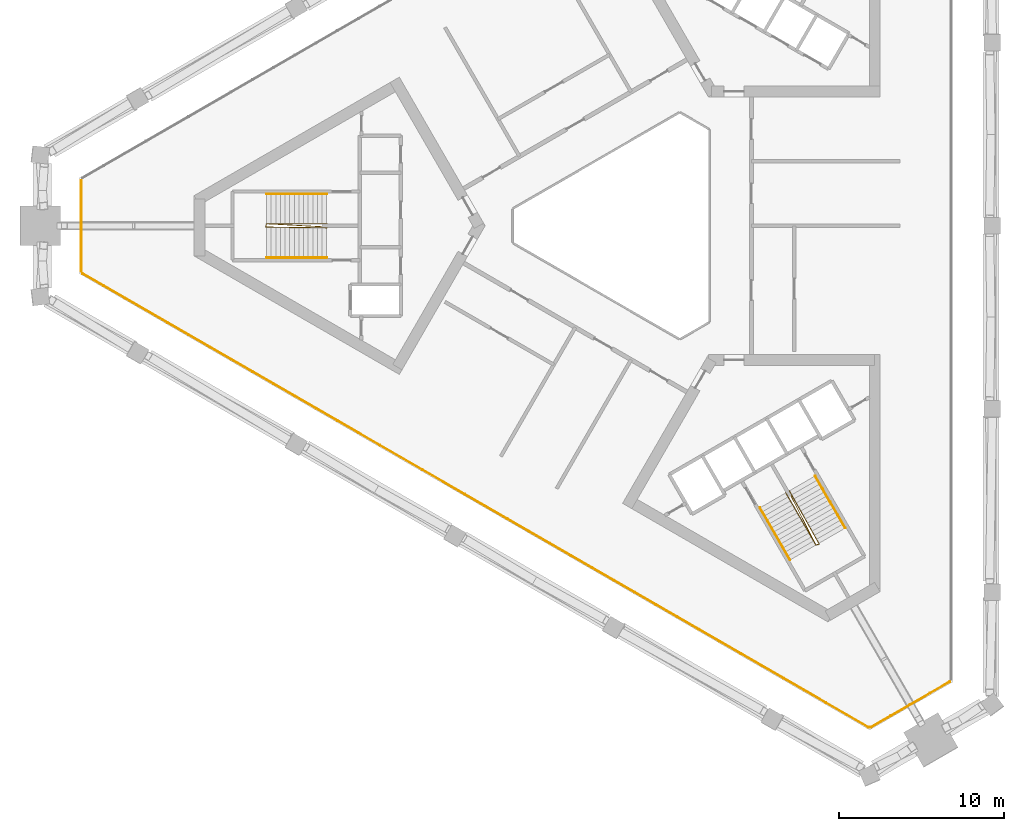
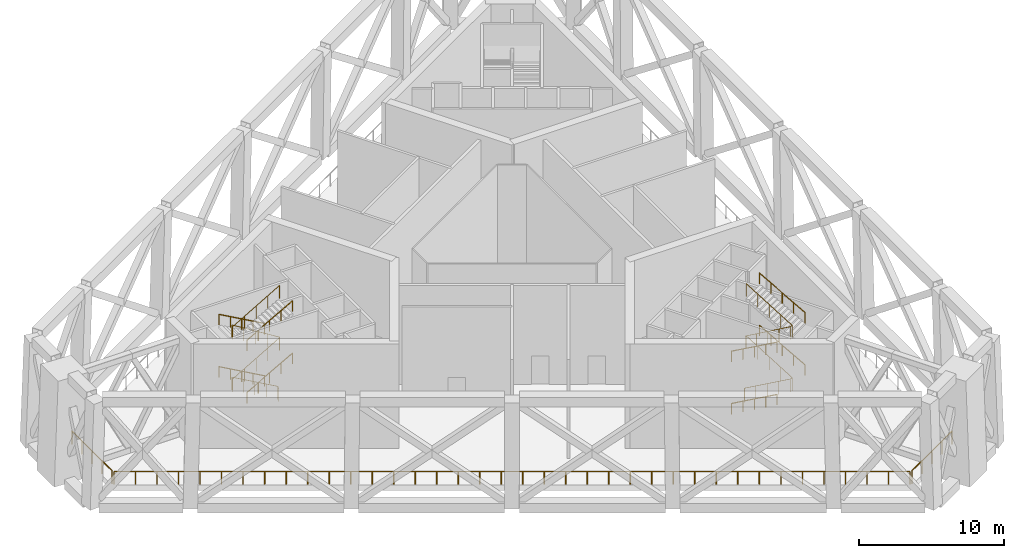
# One storey, part 7 of 8: 13 railings.
"""IFC4 building model written with IfcOpenShell, lengths in metres."""

from ifc_helpers import new_model, si_unit, direction, frame, origin, origin_2d, place, context, subcontext, project, spatial, circle, extrude, material, type_object, element, save


model = new_model("IFC4")

# Units and contexts
model_context = context("Model", 3, precision=1e-05, world=origin(), true_north=direction((0.0, 1.0)))
body_context = subcontext(model_context, "Body", "Model", "MODEL_VIEW")
ifc_project = project(units=[si_unit("LENGTHUNIT", "METRE"), si_unit("AREAUNIT", "SQUARE_METRE"), si_unit("VOLUMEUNIT", "CUBIC_METRE"), si_unit("PLANEANGLEUNIT", "RADIAN"), si_unit("MASSUNIT", "GRAM", prefix="KILO")], contexts=[model_context])

# Site, building, storey
site_placement = place(None, origin())
site = spatial("IfcSite", under=ifc_project, at=site_placement, CompositionType="ELEMENT")
building_placement = place(site_placement, origin())
building = spatial("IfcBuilding", under=site, at=building_placement, Name="Jabali Bay Hotel Tower and Convention Centre", CompositionType="ELEMENT")
storey_placement = place(building_placement, frame((0.0, 0.0, 147.5)))
storey = spatial("IfcBuildingStorey", under=building, at=storey_placement, Name="L36", CompositionType="ELEMENT", Elevation=147.5)

# Railings
ifc_material = material(Name="Steel Q355B", Category="steel")
railing_type_1 = type_object("IfcRailingType", Name="Stair guard 1100", PredefinedType="GUARDRAIL", material=ifc_material)
railing_1_placement = place(storey_placement, frame((56.469970703125, 80.074951171875, 0.0)))
element("IfcRailing", 1, at=railing_1_placement, inside=storey, type_object=railing_type_1, Name="L36 ST1 stair guard 1", PredefinedType="GUARDRAIL", context=body_context, shape_type="SweptSolid", body=[
    extrude(circle(Radius=0.02392578125, at=origin_2d()), frame((0.0, 0.0, 1.076171875), z_axis=(-0.290266377826, 0.290266377826, 0.911861206439), x_axis=(-0.707106781187, -0.707106781187, 0.0)), (0.0, 0.0, 1.0), 0.17236328125),
    extrude(circle(Radius=0.02392578125, at=origin_2d()), frame((-0.050048828125, 0.050048828125, 1.2333984375), z_axis=(-0.872057804188, 0.0, 0.489402887359), x_axis=(0.0, -1.0, 0.0)), (0.0, 0.0, 1.0), 4.173828125),
    extrude(circle(Radius=0.02392578125, at=origin_2d()), frame((-3.68994140625, 0.050048828125, 3.27587890625), z_axis=(-0.242814311512, -0.970072785993, 0.0), x_axis=(0.970072785993, -0.242814311512, 0.0)), (0.0, 0.0, 1.0), 0.2060546875),
    extrude(circle(Radius=0.02392578125, at=origin_2d()), frame((-3.739990234375, -0.14990234375, 3.27587890625), z_axis=(0.858870423873, -0.011649360652, 0.512060433341), x_axis=(0.013562335953, 0.999908027292, 0.0)), (0.0, 0.0, 1.0), 4.29638671875),
    extrude(circle(Radius=0.02392578125, at=origin_2d()), frame((-0.050048828125, -0.199951171875, 5.47607421875), z_axis=(0.707106781187, 0.707106781187, 0.0), x_axis=(-0.707106781187, 0.707106781187, 0.0)), (0.0, 0.0, 1.0), 0.07080078125),
    extrude(circle(Radius=0.02392578125, at=origin_2d()), frame((0.0, -0.14990234375, 5.47607421875), z_axis=(-0.857974941652, 0.046492091916, 0.511583311775), x_axis=(-0.054108786762, -0.998535046553, 0.0)), (0.0, 0.0, 1.0), 4.30078125),
    extrude(circle(Radius=0.02392578125, at=origin_2d()), frame((-3.68994140625, 0.050048828125, 7.67626953125), z_axis=(-0.242814311512, -0.970072785993, 0.0), x_axis=(0.970072785993, -0.242814311512, 0.0)), (0.0, 0.0, 1.0), 0.2060546875),
    extrude(circle(Radius=0.02392578125, at=origin_2d()), frame((-3.739990234375, -0.14990234375, 7.67626953125), z_axis=(0.858870423873, -0.011649360652, 0.512060433341), x_axis=(0.013562335953, 0.999908027292, 0.0)), (0.0, 0.0, 1.0), 4.29638671875),
    extrude(circle(Radius=0.02099609375, at=origin_2d()), origin(), (0.0, 0.0, 1.0), 1.052001953125),
    extrude(circle(Radius=0.02099609375, at=origin_2d()), frame((-0.050048828125, 0.050048828125, 0.1572265625)), (0.0, 0.0, 1.0), 1.052001953125),
    extrude(circle(Radius=0.02099609375, at=origin_2d()), frame((-0.9599609375, 0.050048828125, 0.66796875)), (0.0, 0.0, 1.0), 1.052001953125),
    extrude(circle(Radius=0.02099609375, at=origin_2d()), frame((-1.8701171875, 0.050048828125, 1.1787109375)), (0.0, 0.0, 1.0), 1.052001953125),
    extrude(circle(Radius=0.02099609375, at=origin_2d()), frame((-2.780029296875, 0.050048828125, 1.689208984375)), (0.0, 0.0, 1.0), 1.052001953125),
    extrude(circle(Radius=0.02099609375, at=origin_2d()), frame((-3.68994140625, 0.050048828125, 2.199951171875)), (0.0, 0.0, 1.0), 1.052001953125),
    extrude(circle(Radius=0.02099609375, at=origin_2d()), frame((-3.739990234375, -0.14990234375, 2.199951171875)), (0.0, 0.0, 1.0), 1.052001953125),
    extrude(circle(Radius=0.02099609375, at=origin_2d()), frame((-2.8173828125, -0.162353515625, 2.75)), (0.0, 0.0, 1.0), 1.052001953125),
    extrude(circle(Radius=0.02099609375, at=origin_2d()), frame((-1.89501953125, -0.1748046875, 3.2998046875)), (0.0, 0.0, 1.0), 1.052001953125),
    extrude(circle(Radius=0.02099609375, at=origin_2d()), frame((-0.97265625, -0.1875, 3.849853515625)), (0.0, 0.0, 1.0), 1.052001953125),
    extrude(circle(Radius=0.02099609375, at=origin_2d()), frame((-0.050048828125, -0.199951171875, 4.39990234375)), (0.0, 0.0, 1.0), 1.052001953125),
    extrude(circle(Radius=0.02099609375, at=origin_2d()), frame((0.0, -0.14990234375, 4.39990234375)), (0.0, 0.0, 1.0), 1.052001953125),
    extrude(circle(Radius=0.02099609375, at=origin_2d()), frame((-0.92236328125, -0.099853515625, 4.949951171875)), (0.0, 0.0, 1.0), 1.052001953125),
    extrude(circle(Radius=0.02099609375, at=origin_2d()), frame((-1.844970703125, -0.0498046875, 5.5)), (0.0, 0.0, 1.0), 1.052001953125),
    extrude(circle(Radius=0.02099609375, at=origin_2d()), frame((-2.767578125, 0.0, 6.050048828125)), (0.0, 0.0, 1.0), 1.052001953125),
    extrude(circle(Radius=0.02099609375, at=origin_2d()), frame((-3.68994140625, 0.050048828125, 6.60009765625)), (0.0, 0.0, 1.0), 1.052001953125),
    extrude(circle(Radius=0.02099609375, at=origin_2d()), frame((-3.739990234375, -0.14990234375, 6.60009765625)), (0.0, 0.0, 1.0), 1.052001953125),
    extrude(circle(Radius=0.02099609375, at=origin_2d()), frame((-2.8173828125, -0.162353515625, 7.150146484375)), (0.0, 0.0, 1.0), 1.052001953125),
    extrude(circle(Radius=0.02099609375, at=origin_2d()), frame((-1.89501953125, -0.1748046875, 7.7001953125)), (0.0, 0.0, 1.0), 1.052001953125),
    extrude(circle(Radius=0.02099609375, at=origin_2d()), frame((-0.97265625, -0.1875, 8.25)), (0.0, 0.0, 1.0), 1.052001953125),
    extrude(circle(Radius=0.02099609375, at=origin_2d()), frame((-0.050048828125, -0.199951171875, 8.800048828125)), (0.0, 0.0, 1.0), 1.052001953125),
])
railing_2_placement = place(storey_placement, frame((84.199951171875, 63.9150390625, 0.0)))
element("IfcRailing", 2, at=railing_2_placement, inside=storey, type_object=railing_type_1, Name="L36 ST3 stair guard 1", PredefinedType="GUARDRAIL", context=body_context, shape_type="SweptSolid", body=[
    extrude(circle(Radius=0.02392578125, at=origin_2d()), frame((0.0, 0.0, 1.076171875), z_axis=(-0.106197677715, -0.396471330136, 0.911884059312), x_axis=(0.965948051503, -0.258736085224, 0.0)), (0.0, 0.0, 1.0), 0.17236328125),
    extrude(circle(Radius=0.02392578125, at=origin_2d()), frame((-0.018310546875, -0.068359375, 1.2333984375), z_axis=(0.436044357701, -0.755225318126, 0.48938740991), x_axis=(0.866018046521, 0.500012742938, 0.0)), (0.0, 0.0, 1.0), 4.174072265625),
    extrude(circle(Radius=0.02392578125, at=origin_2d()), frame((1.8017578125, -3.220703125, 3.27587890625), z_axis=(0.96121063429, 0.275815366736, 0.0), x_axis=(-0.275815366736, 0.96121063429, 0.0)), (0.0, 0.0, 1.0), 0.206298828125),
    extrude(circle(Radius=0.02392578125, at=origin_2d()), frame((2.0, -3.163818359375, 3.27587890625), z_axis=(-0.419382495405, 0.749603590364, 0.512067163428), x_axis=(-0.872702246529, -0.488252792008, 0.0)), (0.0, 0.0, 1.0), 4.296142578125),
    extrude(circle(Radius=0.02392578125, at=origin_2d()), frame((0.1982421875, 0.056640625, 5.47607421875), z_axis=(-0.965948051503, 0.258736085224, 0.0), x_axis=(-0.258736085224, -0.965948051503, 0.0)), (0.0, 0.0, 1.0), 0.07080078125),
    extrude(circle(Radius=0.02392578125, at=origin_2d()), frame((0.1298828125, 0.074951171875, 5.47607421875), z_axis=(0.388730751416, -0.766278681857, 0.511571485362), x_axis=(0.891809086538, 0.452411928632, 0.0)), (0.0, 0.0, 1.0), 4.30078125),
    extrude(circle(Radius=0.02392578125, at=origin_2d()), frame((1.8017578125, -3.220703125, 7.67626953125), z_axis=(0.96121063429, 0.275815366736, 0.0), x_axis=(-0.275815366736, 0.96121063429, 0.0)), (0.0, 0.0, 1.0), 0.206298828125),
    extrude(circle(Radius=0.02392578125, at=origin_2d()), frame((2.0, -3.163818359375, 7.67626953125), z_axis=(-0.419382495405, 0.749603590364, 0.512067163428), x_axis=(-0.872702246529, -0.488252792008, 0.0)), (0.0, 0.0, 1.0), 4.296142578125),
    extrude(circle(Radius=0.02099609375, at=origin_2d()), origin(), (0.0, 0.0, 1.0), 1.052001953125),
    extrude(circle(Radius=0.02099609375, at=origin_2d()), frame((-0.018310546875, -0.068359375, 0.1572265625)), (0.0, 0.0, 1.0), 1.052001953125),
    extrude(circle(Radius=0.02099609375, at=origin_2d()), frame((0.436767578125, -0.8564453125, 0.66796875)), (0.0, 0.0, 1.0), 1.052001953125),
    extrude(circle(Radius=0.02099609375, at=origin_2d()), frame((0.8916015625, -1.64453125, 1.1787109375)), (0.0, 0.0, 1.0), 1.052001953125),
    extrude(circle(Radius=0.02099609375, at=origin_2d()), frame((1.3466796875, -2.4326171875, 1.689208984375)), (0.0, 0.0, 1.0), 1.052001953125),
    extrude(circle(Radius=0.02099609375, at=origin_2d()), frame((1.8017578125, -3.220703125, 2.199951171875)), (0.0, 0.0, 1.0), 1.052001953125),
    extrude(circle(Radius=0.02099609375, at=origin_2d()), frame((2.0, -3.163818359375, 2.199951171875)), (0.0, 0.0, 1.0), 1.052001953125),
    extrude(circle(Radius=0.02099609375, at=origin_2d()), frame((1.549560546875, -2.358642578125, 2.75)), (0.0, 0.0, 1.0), 1.052001953125),
    extrude(circle(Radius=0.02099609375, at=origin_2d()), frame((1.09912109375, -1.5537109375, 3.2998046875)), (0.0, 0.0, 1.0), 1.052001953125),
    extrude(circle(Radius=0.02099609375, at=origin_2d()), frame((0.648681640625, -0.74853515625, 3.849853515625)), (0.0, 0.0, 1.0), 1.052001953125),
    extrude(circle(Radius=0.02099609375, at=origin_2d()), frame((0.1982421875, 0.056640625, 4.39990234375)), (0.0, 0.0, 1.0), 1.052001953125),
    extrude(circle(Radius=0.02099609375, at=origin_2d()), frame((0.1298828125, 0.074951171875, 4.39990234375)), (0.0, 0.0, 1.0), 1.052001953125),
    extrude(circle(Radius=0.02099609375, at=origin_2d()), frame((0.5478515625, -0.7490234375, 4.949951171875)), (0.0, 0.0, 1.0), 1.052001953125),
    extrude(circle(Radius=0.02099609375, at=origin_2d()), frame((0.9658203125, -1.57275390625, 5.5)), (0.0, 0.0, 1.0), 1.052001953125),
    extrude(circle(Radius=0.02099609375, at=origin_2d()), frame((1.3837890625, -2.396728515625, 6.050048828125)), (0.0, 0.0, 1.0), 1.052001953125),
    extrude(circle(Radius=0.02099609375, at=origin_2d()), frame((1.8017578125, -3.220703125, 6.60009765625)), (0.0, 0.0, 1.0), 1.052001953125),
    extrude(circle(Radius=0.02099609375, at=origin_2d()), frame((2.0, -3.163818359375, 6.60009765625)), (0.0, 0.0, 1.0), 1.052001953125),
    extrude(circle(Radius=0.02099609375, at=origin_2d()), frame((1.549560546875, -2.358642578125, 7.150146484375)), (0.0, 0.0, 1.0), 1.052001953125),
    extrude(circle(Radius=0.02099609375, at=origin_2d()), frame((1.09912109375, -1.5537109375, 7.7001953125)), (0.0, 0.0, 1.0), 1.052001953125),
    extrude(circle(Radius=0.02099609375, at=origin_2d()), frame((0.648681640625, -0.74853515625, 8.25)), (0.0, 0.0, 1.0), 1.052001953125),
    extrude(circle(Radius=0.02099609375, at=origin_2d()), frame((0.1982421875, 0.056640625, 8.800048828125)), (0.0, 0.0, 1.0), 1.052001953125),
])
railing_type_2 = type_object("IfcRailingType", Name="Stair handrail 900", PredefinedType="HANDRAIL", material=ifc_material)
railing_3_placement = place(storey_placement, frame((56.419921875, 81.925048828125, 0.1572265625)))
element("IfcRailing", 3, at=railing_3_placement, inside=storey, type_object=railing_type_2, Name="L36 ST1 stair handrail 1", PredefinedType="HANDRAIL", context=body_context, shape_type="SweptSolid", body=[
    extrude(circle(Radius=0.02392578125, at=origin_2d()), frame((0.0, 0.0, 0.8759765625), z_axis=(-0.872057804188, 0.0, 0.489402887359), x_axis=(0.0, -1.0, 0.0)), (0.0, 0.0, 1.0), 4.173828125),
    extrude(circle(Radius=0.02099609375, at=origin_2d()), origin(), (0.0, 0.0, 1.0), 0.851806640625),
    extrude(circle(Radius=0.02099609375, at=origin_2d()), frame((-0.909912109375, 0.0, 0.5107421875)), (0.0, 0.0, 1.0), 0.851806640625),
    extrude(circle(Radius=0.02099609375, at=origin_2d()), frame((-1.81982421875, 0.0, 1.021484375)), (0.0, 0.0, 1.0), 0.851806640625),
    extrude(circle(Radius=0.02099609375, at=origin_2d()), frame((-2.72998046875, 0.0, 1.531982421875)), (0.0, 0.0, 1.0), 0.851806640625),
    extrude(circle(Radius=0.02099609375, at=origin_2d()), frame((-3.639892578125, 0.0, 2.042724609375)), (0.0, 0.0, 1.0), 0.851806640625),
])
railing_4_placement = place(storey_placement, frame((52.780029296875, 78.074951171875, 2.357177734375)))
element("IfcRailing", 4, at=railing_4_placement, inside=storey, type_object=railing_type_2, Name="L36 ST1 stair handrail 2", PredefinedType="HANDRAIL", context=body_context, shape_type="SweptSolid", body=[
    extrude(circle(Radius=0.02392578125, at=origin_2d()), frame((0.0, 0.0, 0.8759765625), z_axis=(0.872057804188, 0.0, 0.489402887359), x_axis=(0.0, 1.0, 0.0)), (0.0, 0.0, 1.0), 4.173828125),
    extrude(circle(Radius=0.02099609375, at=origin_2d()), origin(), (0.0, 0.0, 1.0), 0.851806640625),
    extrude(circle(Radius=0.02099609375, at=origin_2d()), frame((0.909912109375, 0.0, 0.5107421875)), (0.0, 0.0, 1.0), 0.851806640625),
    extrude(circle(Radius=0.02099609375, at=origin_2d()), frame((1.81982421875, 0.0, 1.021484375)), (0.0, 0.0, 1.0), 0.851806640625),
    extrude(circle(Radius=0.02099609375, at=origin_2d()), frame((2.72998046875, 0.0, 1.531982421875)), (0.0, 0.0, 1.0), 0.851806640625),
    extrude(circle(Radius=0.02099609375, at=origin_2d()), frame((3.639892578125, 0.0, 2.042724609375)), (0.0, 0.0, 1.0), 0.851806640625),
])
railing_5_placement = place(storey_placement, frame((56.419921875, 81.925048828125, 4.55712890625)))
element("IfcRailing", 5, at=railing_5_placement, inside=storey, type_object=railing_type_2, Name="L36 ST1 stair handrail 3", PredefinedType="HANDRAIL", context=body_context, shape_type="SweptSolid", body=[
    extrude(circle(Radius=0.02392578125, at=origin_2d()), frame((0.0, 0.0, 0.8759765625), z_axis=(-0.872032840091, 0.0, 0.489447367756), x_axis=(0.0, -1.0, 0.0)), (0.0, 0.0, 1.0), 4.174072265625),
    extrude(circle(Radius=0.02099609375, at=origin_2d()), origin(), (0.0, 0.0, 1.0), 0.851806640625),
    extrude(circle(Radius=0.02099609375, at=origin_2d()), frame((-0.909912109375, 0.0, 0.5107421875)), (0.0, 0.0, 1.0), 0.851806640625),
    extrude(circle(Radius=0.02099609375, at=origin_2d()), frame((-1.81982421875, 0.0, 1.021484375)), (0.0, 0.0, 1.0), 0.851806640625),
    extrude(circle(Radius=0.02099609375, at=origin_2d()), frame((-2.72998046875, 0.0, 1.5322265625)), (0.0, 0.0, 1.0), 0.851806640625),
    extrude(circle(Radius=0.02099609375, at=origin_2d()), frame((-3.639892578125, 0.0, 2.04296875)), (0.0, 0.0, 1.0), 0.851806640625),
])
railing_6_placement = place(storey_placement, frame((52.780029296875, 78.074951171875, 6.757080078125)))
element("IfcRailing", 6, at=railing_6_placement, inside=storey, type_object=railing_type_2, Name="L36 ST1 stair handrail 4", PredefinedType="HANDRAIL", context=body_context, shape_type="SweptSolid", body=[
    extrude(circle(Radius=0.02392578125, at=origin_2d()), frame((0.0, 0.0, 0.8759765625), z_axis=(0.872032840091, 0.0, 0.489447367756), x_axis=(0.0, 1.0, 0.0)), (0.0, 0.0, 1.0), 4.174072265625),
    extrude(circle(Radius=0.02099609375, at=origin_2d()), origin(), (0.0, 0.0, 1.0), 0.851806640625),
    extrude(circle(Radius=0.02099609375, at=origin_2d()), frame((0.909912109375, 0.0, 0.5107421875)), (0.0, 0.0, 1.0), 0.851806640625),
    extrude(circle(Radius=0.02099609375, at=origin_2d()), frame((1.81982421875, 0.0, 1.021484375)), (0.0, 0.0, 1.0), 0.851806640625),
    extrude(circle(Radius=0.02099609375, at=origin_2d()), frame((2.72998046875, 0.0, 1.5322265625)), (0.0, 0.0, 1.0), 0.851806640625),
    extrude(circle(Radius=0.02099609375, at=origin_2d()), frame((3.639892578125, 0.0, 2.04296875)), (0.0, 0.0, 1.0), 0.851806640625),
])
railing_7_placement = place(storey_placement, frame((82.622802734375, 62.94677734375, 0.1572265625)))
element("IfcRailing", 7, at=railing_7_placement, inside=storey, type_object=railing_type_2, Name="L36 ST3 stair handrail 1", PredefinedType="HANDRAIL", context=body_context, shape_type="SweptSolid", body=[
    extrude(circle(Radius=0.02392578125, at=origin_2d()), frame((0.0, 0.0, 0.8759765625), z_axis=(0.436044357701, -0.755225318126, 0.48938740991), x_axis=(0.866018046521, 0.500012742938, 0.0)), (0.0, 0.0, 1.0), 4.174072265625),
    extrude(circle(Radius=0.02099609375, at=origin_2d()), origin(), (0.0, 0.0, 1.0), 0.851806640625),
    extrude(circle(Radius=0.02099609375, at=origin_2d()), frame((0.455078125, -0.7880859375, 0.5107421875)), (0.0, 0.0, 1.0), 0.851806640625),
    extrude(circle(Radius=0.02099609375, at=origin_2d()), frame((0.91015625, -1.576171875, 1.021484375)), (0.0, 0.0, 1.0), 0.851806640625),
    extrude(circle(Radius=0.02099609375, at=origin_2d()), frame((1.364990234375, -2.3642578125, 1.531982421875)), (0.0, 0.0, 1.0), 0.851806640625),
    extrude(circle(Radius=0.02099609375, at=origin_2d()), frame((1.820068359375, -3.15234375, 2.042724609375)), (0.0, 0.0, 1.0), 0.851806640625),
])
railing_8_placement = place(storey_placement, frame((87.777099609375, 61.719482421875, 2.357177734375)))
element("IfcRailing", 8, at=railing_8_placement, inside=storey, type_object=railing_type_2, Name="L36 ST3 stair handrail 2", PredefinedType="HANDRAIL", context=body_context, shape_type="SweptSolid", body=[
    extrude(circle(Radius=0.02392578125, at=origin_2d()), frame((0.0, 0.0, 0.8759765625), z_axis=(-0.436044357701, 0.755225318126, 0.48938740991), x_axis=(-0.866018046521, -0.500012742938, 0.0)), (0.0, 0.0, 1.0), 4.174072265625),
    extrude(circle(Radius=0.02099609375, at=origin_2d()), origin(), (0.0, 0.0, 1.0), 0.851806640625),
    extrude(circle(Radius=0.02099609375, at=origin_2d()), frame((-0.455078125, 0.7880859375, 0.5107421875)), (0.0, 0.0, 1.0), 0.851806640625),
    extrude(circle(Radius=0.02099609375, at=origin_2d()), frame((-0.91015625, 1.576171875, 1.021484375)), (0.0, 0.0, 1.0), 0.851806640625),
    extrude(circle(Radius=0.02099609375, at=origin_2d()), frame((-1.364990234375, 2.3642578125, 1.531982421875)), (0.0, 0.0, 1.0), 0.851806640625),
    extrude(circle(Radius=0.02099609375, at=origin_2d()), frame((-1.820068359375, 3.15234375, 2.042724609375)), (0.0, 0.0, 1.0), 0.851806640625),
])
railing_9_placement = place(storey_placement, frame((82.622802734375, 62.94677734375, 4.55712890625)))
element("IfcRailing", 9, at=railing_9_placement, inside=storey, type_object=railing_type_2, Name="L36 ST3 stair handrail 3", PredefinedType="HANDRAIL", context=body_context, shape_type="SweptSolid", body=[
    extrude(circle(Radius=0.02392578125, at=origin_2d()), frame((0.0, 0.0, 0.8759765625), z_axis=(0.436031875999, -0.75520369992, 0.489431889787), x_axis=(0.866018046521, 0.500012742938, 0.0)), (0.0, 0.0, 1.0), 4.174072265625),
    extrude(circle(Radius=0.02099609375, at=origin_2d()), origin(), (0.0, 0.0, 1.0), 0.851806640625),
    extrude(circle(Radius=0.02099609375, at=origin_2d()), frame((0.455078125, -0.7880859375, 0.5107421875)), (0.0, 0.0, 1.0), 0.851806640625),
    extrude(circle(Radius=0.02099609375, at=origin_2d()), frame((0.91015625, -1.576171875, 1.021484375)), (0.0, 0.0, 1.0), 0.851806640625),
    extrude(circle(Radius=0.02099609375, at=origin_2d()), frame((1.364990234375, -2.3642578125, 1.5322265625)), (0.0, 0.0, 1.0), 0.851806640625),
    extrude(circle(Radius=0.02099609375, at=origin_2d()), frame((1.820068359375, -3.15234375, 2.04296875)), (0.0, 0.0, 1.0), 0.851806640625),
])
railing_10_placement = place(storey_placement, frame((87.777099609375, 61.719482421875, 6.757080078125)))
element("IfcRailing", 10, at=railing_10_placement, inside=storey, type_object=railing_type_2, Name="L36 ST3 stair handrail 4", PredefinedType="HANDRAIL", context=body_context, shape_type="SweptSolid", body=[
    extrude(circle(Radius=0.02392578125, at=origin_2d()), frame((0.0, 0.0, 0.8759765625), z_axis=(-0.436031875999, 0.75520369992, 0.489431889787), x_axis=(-0.866018046521, -0.500012742938, 0.0)), (0.0, 0.0, 1.0), 4.174072265625),
    extrude(circle(Radius=0.02099609375, at=origin_2d()), origin(), (0.0, 0.0, 1.0), 0.851806640625),
    extrude(circle(Radius=0.02099609375, at=origin_2d()), frame((-0.455078125, 0.7880859375, 0.5107421875)), (0.0, 0.0, 1.0), 0.851806640625),
    extrude(circle(Radius=0.02099609375, at=origin_2d()), frame((-0.91015625, 1.576171875, 1.021484375)), (0.0, 0.0, 1.0), 0.851806640625),
    extrude(circle(Radius=0.02099609375, at=origin_2d()), frame((-1.364990234375, 2.3642578125, 1.5322265625)), (0.0, 0.0, 1.0), 0.851806640625),
    extrude(circle(Radius=0.02099609375, at=origin_2d()), frame((-1.820068359375, 3.15234375, 2.04296875)), (0.0, 0.0, 1.0), 0.851806640625),
])
railing_type_3 = type_object("IfcRailingType", Name="Wind floor guard 1100", PredefinedType="GUARDRAIL", material=ifc_material)
railing_11_placement = place(storey_placement, frame((41.568359375, 82.742919921875, 0.0)))
element("IfcRailing", 11, at=railing_11_placement, inside=storey, type_object=railing_type_3, Name="Wind floor guard L36 run 4", PredefinedType="GUARDRAIL", context=body_context, shape_type="SweptSolid", body=[
    extrude(circle(Radius=0.02490234375, at=origin_2d()), frame((0.0, 0.0, 1.0751953125), z_axis=(0.0, -1.0, 0.0), x_axis=(1.0, 0.0, 0.0)), (0.0, 0.0, 1.0), 5.48583984375),
    extrude(circle(Radius=0.02490234375, at=origin_2d()), origin(), (0.0, 0.0, 1.0), 1.050048828125),
    extrude(circle(Radius=0.02490234375, at=origin_2d()), frame((0.0, -1.37158203125, 0.0)), (0.0, 0.0, 1.0), 1.050048828125),
    extrude(circle(Radius=0.02490234375, at=origin_2d()), frame((0.0, -2.742919921875, 0.0)), (0.0, 0.0, 1.0), 1.050048828125),
    extrude(circle(Radius=0.02490234375, at=origin_2d()), frame((0.0, -4.1142578125, 0.0)), (0.0, 0.0, 1.0), 1.050048828125),
    extrude(circle(Radius=0.02490234375, at=origin_2d()), frame((0.0, -5.48583984375, 0.0)), (0.0, 0.0, 1.0), 1.050048828125),
])
railing_12_placement = place(storey_placement, frame((41.65478515625, 77.107177734375, 0.0)))
element("IfcRailing", 12, at=railing_12_placement, inside=storey, type_object=railing_type_3, Name="Wind floor guard L36 run 5", PredefinedType="GUARDRAIL", context=body_context, shape_type="SweptSolid", body=[
    extrude(circle(Radius=0.02490234375, at=origin_2d()), frame((0.0, 0.0, 1.0751953125), z_axis=(0.866024851215, -0.500000957077, 0.0), x_axis=(0.500000957077, 0.866024851215, 0.0)), (0.0, 0.0, 1.0), 54.86279296875),
    extrude(circle(Radius=0.02490234375, at=origin_2d()), origin(), (0.0, 0.0, 1.0), 1.050048828125),
    extrude(circle(Radius=0.02490234375, at=origin_2d()), frame((1.2841796875, -0.741455078125, 0.0)), (0.0, 0.0, 1.0), 1.050048828125),
    extrude(circle(Radius=0.02490234375, at=origin_2d()), frame((2.568359375, -1.482666015625, 0.0)), (0.0, 0.0, 1.0), 1.050048828125),
    extrude(circle(Radius=0.02490234375, at=origin_2d()), frame((3.852294921875, -2.22412109375, 0.0)), (0.0, 0.0, 1.0), 1.050048828125),
    extrude(circle(Radius=0.02490234375, at=origin_2d()), frame((5.136474609375, -2.965576171875, 0.0)), (0.0, 0.0, 1.0), 1.050048828125),
    extrude(circle(Radius=0.02490234375, at=origin_2d()), frame((6.420654296875, -3.70703125, 0.0)), (0.0, 0.0, 1.0), 1.050048828125),
    extrude(circle(Radius=0.02490234375, at=origin_2d()), frame((7.704833984375, -4.4482421875, 0.0)), (0.0, 0.0, 1.0), 1.050048828125),
    extrude(circle(Radius=0.02490234375, at=origin_2d()), frame((8.98876953125, -5.189697265625, 0.0)), (0.0, 0.0, 1.0), 1.050048828125),
    extrude(circle(Radius=0.02490234375, at=origin_2d()), frame((10.27294921875, -5.93115234375, 0.0)), (0.0, 0.0, 1.0), 1.050048828125),
    extrude(circle(Radius=0.02490234375, at=origin_2d()), frame((11.55712890625, -6.672607421875, 0.0)), (0.0, 0.0, 1.0), 1.050048828125),
    extrude(circle(Radius=0.02490234375, at=origin_2d()), frame((12.84130859375, -7.413818359375, 0.0)), (0.0, 0.0, 1.0), 1.050048828125),
    extrude(circle(Radius=0.02490234375, at=origin_2d()), frame((14.125244140625, -8.1552734375, 0.0)), (0.0, 0.0, 1.0), 1.050048828125),
    extrude(circle(Radius=0.02490234375, at=origin_2d()), frame((15.409423828125, -8.896728515625, 0.0)), (0.0, 0.0, 1.0), 1.050048828125),
    extrude(circle(Radius=0.02490234375, at=origin_2d()), frame((16.693603515625, -9.637939453125, 0.0)), (0.0, 0.0, 1.0), 1.050048828125),
    extrude(circle(Radius=0.02490234375, at=origin_2d()), frame((17.977783203125, -10.37939453125, 0.0)), (0.0, 0.0, 1.0), 1.050048828125),
    extrude(circle(Radius=0.02490234375, at=origin_2d()), frame((19.26171875, -11.120849609375, 0.0)), (0.0, 0.0, 1.0), 1.050048828125),
    extrude(circle(Radius=0.02490234375, at=origin_2d()), frame((20.5458984375, -11.8623046875, 0.0)), (0.0, 0.0, 1.0), 1.050048828125),
    extrude(circle(Radius=0.02490234375, at=origin_2d()), frame((21.830078125, -12.603515625, 0.0)), (0.0, 0.0, 1.0), 1.050048828125),
    extrude(circle(Radius=0.02490234375, at=origin_2d()), frame((23.1142578125, -13.344970703125, 0.0)), (0.0, 0.0, 1.0), 1.050048828125),
    extrude(circle(Radius=0.02490234375, at=origin_2d()), frame((24.398193359375, -14.08642578125, 0.0)), (0.0, 0.0, 1.0), 1.050048828125),
    extrude(circle(Radius=0.02490234375, at=origin_2d()), frame((25.682373046875, -14.827880859375, 0.0)), (0.0, 0.0, 1.0), 1.050048828125),
    extrude(circle(Radius=0.02490234375, at=origin_2d()), frame((26.966552734375, -15.569091796875, 0.0)), (0.0, 0.0, 1.0), 1.050048828125),
    extrude(circle(Radius=0.02490234375, at=origin_2d()), frame((28.250732421875, -16.310546875, 0.0)), (0.0, 0.0, 1.0), 1.050048828125),
    extrude(circle(Radius=0.02490234375, at=origin_2d()), frame((29.53466796875, -17.052001953125, 0.0)), (0.0, 0.0, 1.0), 1.050048828125),
    extrude(circle(Radius=0.02490234375, at=origin_2d()), frame((30.81884765625, -17.79345703125, 0.0)), (0.0, 0.0, 1.0), 1.050048828125),
    extrude(circle(Radius=0.02490234375, at=origin_2d()), frame((32.10302734375, -18.53466796875, 0.0)), (0.0, 0.0, 1.0), 1.050048828125),
    extrude(circle(Radius=0.02490234375, at=origin_2d()), frame((33.38720703125, -19.276123046875, 0.0)), (0.0, 0.0, 1.0), 1.050048828125),
    extrude(circle(Radius=0.02490234375, at=origin_2d()), frame((34.671142578125, -20.017578125, 0.0)), (0.0, 0.0, 1.0), 1.050048828125),
    extrude(circle(Radius=0.02490234375, at=origin_2d()), frame((35.955322265625, -20.7587890625, 0.0)), (0.0, 0.0, 1.0), 1.050048828125),
    extrude(circle(Radius=0.02490234375, at=origin_2d()), frame((37.239501953125, -21.500244140625, 0.0)), (0.0, 0.0, 1.0), 1.050048828125),
    extrude(circle(Radius=0.02490234375, at=origin_2d()), frame((38.523681640625, -22.24169921875, 0.0)), (0.0, 0.0, 1.0), 1.050048828125),
    extrude(circle(Radius=0.02490234375, at=origin_2d()), frame((39.8076171875, -22.983154296875, 0.0)), (0.0, 0.0, 1.0), 1.050048828125),
    extrude(circle(Radius=0.02490234375, at=origin_2d()), frame((41.091796875, -23.724365234375, 0.0)), (0.0, 0.0, 1.0), 1.050048828125),
    extrude(circle(Radius=0.02490234375, at=origin_2d()), frame((42.3759765625, -24.4658203125, 0.0)), (0.0, 0.0, 1.0), 1.050048828125),
    extrude(circle(Radius=0.02490234375, at=origin_2d()), frame((43.66015625, -25.207275390625, 0.0)), (0.0, 0.0, 1.0), 1.050048828125),
    extrude(circle(Radius=0.02490234375, at=origin_2d()), frame((44.944091796875, -25.94873046875, 0.0)), (0.0, 0.0, 1.0), 1.050048828125),
    extrude(circle(Radius=0.02490234375, at=origin_2d()), frame((46.228271484375, -26.68994140625, 0.0)), (0.0, 0.0, 1.0), 1.050048828125),
    extrude(circle(Radius=0.02490234375, at=origin_2d()), frame((47.512451171875, -27.431396484375, 0.0)), (0.0, 0.0, 1.0), 1.050048828125),
])
railing_13_placement = place(storey_placement, frame((89.340576171875, 49.67578125, 0.0)))
element("IfcRailing", 13, at=railing_13_placement, inside=storey, type_object=railing_type_3, Name="Wind floor guard L36 run 6", PredefinedType="GUARDRAIL", context=body_context, shape_type="SweptSolid", body=[
    extrude(circle(Radius=0.02490234375, at=origin_2d()), frame((0.0, 0.0, 1.0751953125), z_axis=(0.866018830095, 0.500011385791, 0.0), x_axis=(-0.500011385791, 0.866018830095, 0.0)), (0.0, 0.0, 1.0), 5.485595703125),
    extrude(circle(Radius=0.02490234375, at=origin_2d()), origin(), (0.0, 0.0, 1.0), 1.050048828125),
    extrude(circle(Radius=0.02490234375, at=origin_2d()), frame((1.187744140625, 0.685791015625, 0.0)), (0.0, 0.0, 1.0), 1.050048828125),
    extrude(circle(Radius=0.02490234375, at=origin_2d()), frame((2.37548828125, 1.37158203125, 0.0)), (0.0, 0.0, 1.0), 1.050048828125),
    extrude(circle(Radius=0.02490234375, at=origin_2d()), frame((3.56298828125, 2.05712890625, 0.0)), (0.0, 0.0, 1.0), 1.050048828125),
    extrude(circle(Radius=0.02490234375, at=origin_2d()), frame((4.750732421875, 2.742919921875, 0.0)), (0.0, 0.0, 1.0), 1.050048828125),
])

save(model, "model.ifc")
